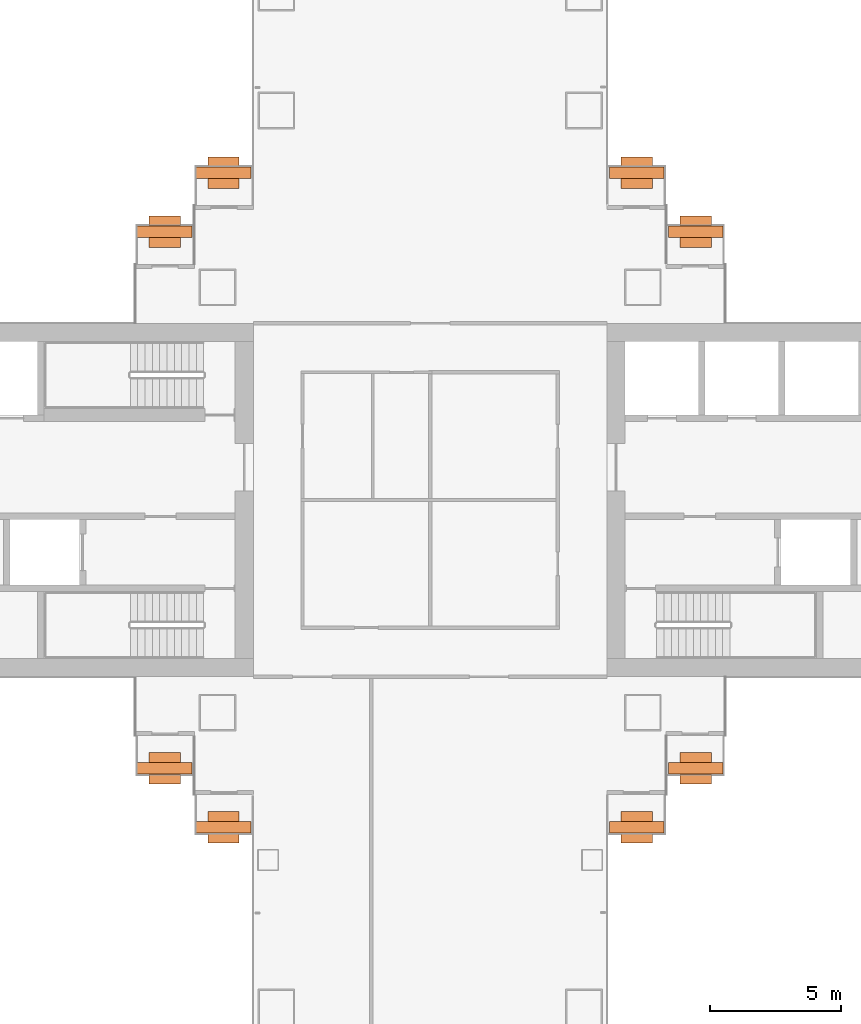
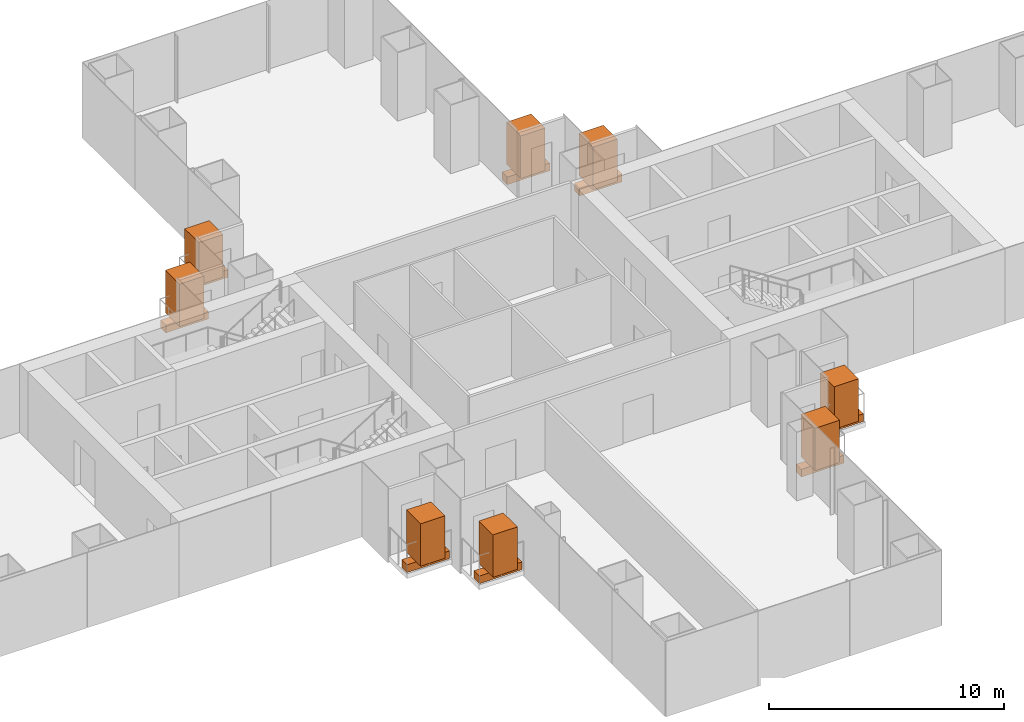
# One storey, part 21 of 21: 8 geographic elements, 8 proxies.
"""IFC4 building model written with IfcOpenShell, lengths in metres."""

from ifc_helpers import new_model, si_unit, direction, frame, origin, origin_2d, place, context, subcontext, project, spatial, rectangle, extrude, material, type_object, element, save


model = new_model("IFC4")

# Units and contexts
model_context = context("Model", 3, precision=1e-05, world=origin(), true_north=direction((0.0, 1.0)))
body_context = subcontext(model_context, "Body", "Model", "MODEL_VIEW")
ifc_project = project(units=[si_unit("LENGTHUNIT", "METRE"), si_unit("AREAUNIT", "SQUARE_METRE"), si_unit("VOLUMEUNIT", "CUBIC_METRE"), si_unit("PLANEANGLEUNIT", "RADIAN"), si_unit("MASSUNIT", "GRAM", prefix="KILO")], contexts=[model_context])

# Site, building, storey
site_placement = place(None, origin())
site = spatial("IfcSite", under=ifc_project, at=site_placement, CompositionType="ELEMENT")
building_placement = place(site_placement, origin())
building = spatial("IfcBuilding", under=site, at=building_placement, Name="Shamsa Quay Exchange Towers", CompositionType="ELEMENT")
storey_placement = place(building_placement, frame((0.0, 0.0, 61.5)))
storey = spatial("IfcBuildingStorey", under=building, at=storey_placement, Name="L13", CompositionType="ELEMENT", Elevation=61.5)

# Proxies
ifc_material_1 = material(Name="Reinforced concrete C30/37, black glass-fibre faced", Category="concrete")
building_element_proxy_type = type_object("IfcBuildingElementProxyType", Name="BALCONY PLANTER", PredefinedType="USERDEFINED", material=ifc_material_1)
for number, where, z_axis, x_axis, name in (
    (1, (-23.60595703125, 10.2451171875, 0.0), (0.0, 0.0, 1.0), (-1.0, 0.0, 0.0), "PLANTER T1-PKEN L13"),
    (2, (-25.85595703125, 12.4951171875, 0.0), (0.0, 0.0, 1.0), (-1.0, 0.0, 0.0), "PLANTER T1-PKEN L13"),
):
    element("IfcBuildingElementProxy", number, at=place(storey_placement, frame(where, z_axis=z_axis, x_axis=x_axis)), inside=storey, type_object=building_element_proxy_type, Name=name, ObjectType="PLANTER", PredefinedType="USERDEFINED", context=body_context, shape_type="SweptSolid", body=[
        extrude(rectangle(XDim=2.092041015625, YDim=0.449951171875, at=origin_2d()), origin(), (0.0, 0.0, 1.0), 0.39990234375),
    ])
for number, where, name in (
    (3, (-23.60595703125, -10.2451171875, 0.0), "PLANTER T1-PKES L13"),
    (4, (-25.85595703125, -12.4951171875, 0.0), "PLANTER T1-PKES L13"),
):
    element("IfcBuildingElementProxy", number, at=place(storey_placement, frame(where)), inside=storey, type_object=building_element_proxy_type, Name=name, ObjectType="PLANTER", PredefinedType="USERDEFINED", context=body_context, shape_type="SweptSolid", body=[
        extrude(rectangle(XDim=2.092041015625, YDim=0.449951171875, at=origin_2d()), origin(), (0.0, 0.0, 1.0), 0.39990234375),
    ])
for number, where, z_axis, x_axis, name in (
    (5, (-41.64404296875, 12.4951171875, 0.0), (0.0, 0.0, 1.0), (-1.0, 0.0, 0.0), "PLANTER T1-PKWN L13"),
    (6, (-43.89404296875, 10.2451171875, 0.0), (0.0, 0.0, 1.0), (-1.0, 0.0, 0.0), "PLANTER T1-PKWN L13"),
):
    element("IfcBuildingElementProxy", number, at=place(storey_placement, frame(where, z_axis=z_axis, x_axis=x_axis)), inside=storey, type_object=building_element_proxy_type, Name=name, ObjectType="PLANTER", PredefinedType="USERDEFINED", context=body_context, shape_type="SweptSolid", body=[
        extrude(rectangle(XDim=2.092041015625, YDim=0.449951171875, at=origin_2d()), origin(), (0.0, 0.0, 1.0), 0.39990234375),
    ])
for number, where, name in (
    (7, (-43.89404296875, -10.2451171875, 0.0), "PLANTER T1-PKWS L13"),
    (8, (-41.64404296875, -12.4951171875, 0.0), "PLANTER T1-PKWS L13"),
):
    element("IfcBuildingElementProxy", number, at=place(storey_placement, frame(where)), inside=storey, type_object=building_element_proxy_type, Name=name, ObjectType="PLANTER", PredefinedType="USERDEFINED", context=body_context, shape_type="SweptSolid", body=[
        extrude(rectangle(XDim=2.092041015625, YDim=0.449951171875, at=origin_2d()), origin(), (0.0, 0.0, 1.0), 0.39990234375),
    ])

# Geographic elements
ifc_material_2 = material(Name="Planting")
geographic_element_type = type_object("IfcGeographicElementType", Name="BALCONY TREE", PredefinedType="USERDEFINED", material=ifc_material_2)
for number, where, z_axis, x_axis, name in (
    (9, (-23.60595703125, 10.2451171875, 0.39990234375), (0.0, 0.0, 1.0), (-1.0, 0.0, 0.0), "TREE T1-PKEN L13"),
    (10, (-25.85595703125, 12.4951171875, 0.39990234375), (0.0, 0.0, 1.0), (-1.0, 0.0, 0.0), "TREE T1-PKEN L13"),
):
    element("IfcGeographicElement", number, at=place(storey_placement, frame(where, z_axis=z_axis, x_axis=x_axis)), inside=storey, type_object=geographic_element_type, Name=name, ObjectType="TREE", PredefinedType="USERDEFINED", context=body_context, shape_type="SweptSolid", body=[
        extrude(rectangle(XDim=1.199951171875, YDim=1.199951171875, at=origin_2d()), origin(), (0.0, 0.0, 1.0), 2.199951171875),
    ])
for number, where, name in (
    (11, (-23.60595703125, -10.2451171875, 0.39990234375), "TREE T1-PKES L13"),
    (12, (-25.85595703125, -12.4951171875, 0.39990234375), "TREE T1-PKES L13"),
):
    element("IfcGeographicElement", number, at=place(storey_placement, frame(where)), inside=storey, type_object=geographic_element_type, Name=name, ObjectType="TREE", PredefinedType="USERDEFINED", context=body_context, shape_type="SweptSolid", body=[
        extrude(rectangle(XDim=1.199951171875, YDim=1.199951171875, at=origin_2d()), origin(), (0.0, 0.0, 1.0), 2.199951171875),
    ])
for number, where, z_axis, x_axis, name in (
    (13, (-41.64404296875, 12.4951171875, 0.39990234375), (0.0, 0.0, 1.0), (-1.0, 0.0, 0.0), "TREE T1-PKWN L13"),
    (14, (-43.89404296875, 10.2451171875, 0.39990234375), (0.0, 0.0, 1.0), (-1.0, 0.0, 0.0), "TREE T1-PKWN L13"),
):
    element("IfcGeographicElement", number, at=place(storey_placement, frame(where, z_axis=z_axis, x_axis=x_axis)), inside=storey, type_object=geographic_element_type, Name=name, ObjectType="TREE", PredefinedType="USERDEFINED", context=body_context, shape_type="SweptSolid", body=[
        extrude(rectangle(XDim=1.199951171875, YDim=1.199951171875, at=origin_2d()), origin(), (0.0, 0.0, 1.0), 2.199951171875),
    ])
for number, where, name in (
    (15, (-43.89404296875, -10.2451171875, 0.39990234375), "TREE T1-PKWS L13"),
    (16, (-41.64404296875, -12.4951171875, 0.39990234375), "TREE T1-PKWS L13"),
):
    element("IfcGeographicElement", number, at=place(storey_placement, frame(where)), inside=storey, type_object=geographic_element_type, Name=name, ObjectType="TREE", PredefinedType="USERDEFINED", context=body_context, shape_type="SweptSolid", body=[
        extrude(rectangle(XDim=1.199951171875, YDim=1.199951171875, at=origin_2d()), origin(), (0.0, 0.0, 1.0), 2.199951171875),
    ])

save(model, "model.ifc")
